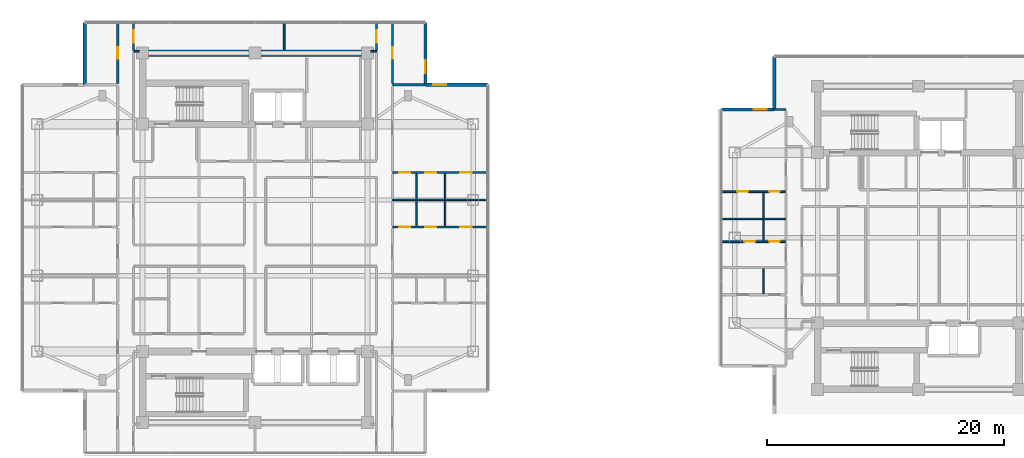
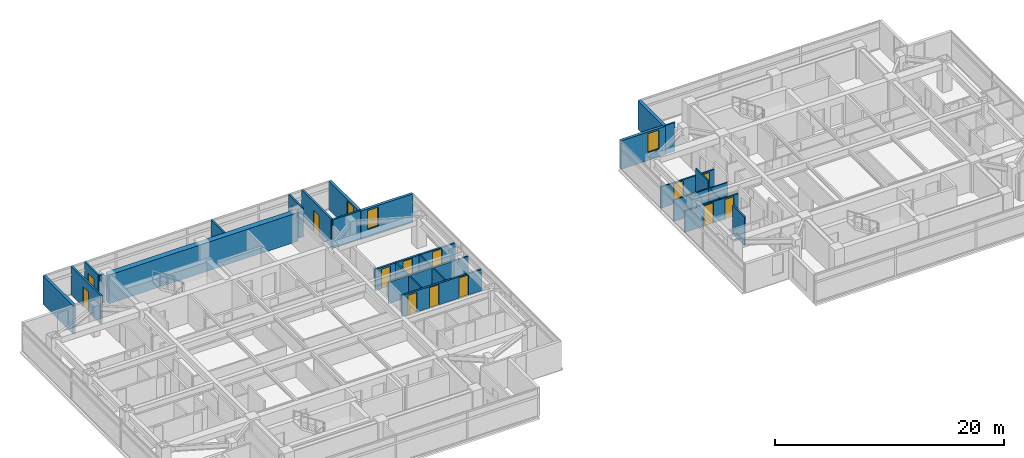
# One storey, part 15 of 24: 28 walls, 14 doors, 3 windows, 17 openings.
"""IFC4 building model written with IfcOpenShell, lengths in metres."""

from ifc_helpers import new_model, si_unit, direction, frame, frame_2d, origin, place, context, subcontext, project, spatial, rectangle, extrude, material, layer, layer_set, type_object, element, fill, save


model = new_model("IFC4")

# Units and contexts
model_context = context("Model", 3, precision=1e-05, world=origin(), true_north=direction((0.0, 1.0)))
body_context = subcontext(model_context, "Body", "Model", "MODEL_VIEW")
ifc_project = project(units=[si_unit("LENGTHUNIT", "METRE"), si_unit("AREAUNIT", "SQUARE_METRE"), si_unit("VOLUMEUNIT", "CUBIC_METRE"), si_unit("PLANEANGLEUNIT", "RADIAN"), si_unit("MASSUNIT", "GRAM", prefix="KILO")], contexts=[model_context])

# Site, building, storey
site_placement = place(None, origin())
site = spatial("IfcSite", under=ifc_project, at=site_placement, CompositionType="ELEMENT")
building_placement = place(site_placement, origin())
building = spatial("IfcBuilding", under=site, at=building_placement, Name="Mirazonda Arch Towers", CompositionType="ELEMENT")
storey_placement = place(building_placement, frame((0.0, 0.0, 154.39990234375)))
storey = spatial("IfcBuildingStorey", under=building, at=storey_placement, Name="L43", CompositionType="ELEMENT", Elevation=154.39990234375)

# Wall
ifc_material_1 = material(Name="Concrete C50/60", Category="concrete")
ifc_layer_1 = layer(ifc_material_1, 0.550048828125, Name="WALL-CORE-550")
ifc_layer_set_1 = layer_set([ifc_layer_1], Name="Concrete C50/60")
wall_type_1 = type_object("IfcWallType", Name="WALL-CORE-550", PredefinedType="SHEAR", material=ifc_layer_set_1)
wall_1_placement = place(storey_placement, frame((11.0, 43.60009765625, 0.0), z_axis=(0.0, 0.0, 1.0), x_axis=(1.0, 0.0, 0.0)))
element("IfcWall", 1, at=wall_1_placement, inside=storey, type_object=wall_type_1, Name="L43 T1N-N Core Shear Wall", PredefinedType="SHEAR", context=body_context, shape_type="SweptSolid", body=[
    extrude(rectangle(XDim=19.0, YDim=0.550048828125, at=frame_2d((9.5, 0.0))), origin(), (0.0, 0.0, 1.0), 3.050048828125),
])

# Wall, opening, window
ifc_material_2 = material(Name="Precast Concrete C40/50", Category="concrete")
ifc_layer_2 = layer(ifc_material_2, 0.280029296875, Name="WALL-EXT-WALL-280")
ifc_layer_set_2 = layer_set([ifc_layer_2], Name="Precast Concrete C40/50")
wall_type_2 = type_object("IfcWallType", Name="WALL-EXT-WALL-280", PredefinedType="SOLIDWALL", material=ifc_layer_set_2)
wall_2_placement = place(storey_placement, frame((34.885009765625, 40.925048828125, 0.0), z_axis=(0.0, 0.0, 1.0), x_axis=(0.0, 1.0, 0.0)))
wall_2 = element("IfcWall", 2, at=wall_2_placement, inside=storey, type_object=wall_type_2, Name="L43 T1 Notched NE Corner Wall WL-L43-T1-CNE", PredefinedType="SOLIDWALL", context=body_context, shape_type="SweptSolid", body=[
    extrude(rectangle(XDim=5.244873046875, YDim=0.280029296875, at=frame_2d((2.62255859375, 0.0))), origin(), (0.0, 0.0, 1.0), 3.030029296875),
])
opening_1_placement = place(wall_2_placement, frame((0.949951171875, 0.0, 0.85009765625)))
opening_1 = element("IfcOpeningElement", 3, at=opening_1_placement, cuts=wall_2, Name="Opening WN-108", PredefinedType="OPENING", context=body_context, shape_type="SweptSolid", body=[
    extrude(rectangle(XDim=1.10009765625, YDim=2.0, at=frame_2d((0.550048828125, 1.0))), frame((0.0, 0.14990234375, 0.0), z_axis=(0.0, -1.0, 0.0), x_axis=(1.0, 0.0, 0.0)), (0.0, 0.0, 1.0), 0.300048828125),
])
ifc_material_3 = material(Name="Insulated Low-E Solar Glass", Category="glass")
window_type = type_object("IfcWindowType", Name="WIN-NOTCH-1100x2000", PartitioningType="SINGLE_PANEL", PredefinedType="WINDOW", material=ifc_material_3)
window_1_placement = place(opening_1_placement, origin())
window_1 = element("IfcWindow", 4, at=window_1_placement, inside=storey, type_object=window_type, Name="L43 Punched Facade Window WN-L43-T1-CNE", OverallHeight=2.0, OverallWidth=1.10009765625, PartitioningType="SINGLE_PANEL", PredefinedType="WINDOW", context=body_context, shape_type="SweptSolid", body=[
    extrude(rectangle(XDim=1.10009765625, YDim=2.0, at=frame_2d((0.550048828125, 1.0))), frame((0.0, 0.030029296875, 0.0), z_axis=(0.0, -1.0, 0.0), x_axis=(1.0, 0.0, 0.0)), (0.0, 0.0, 1.0), 0.06005859375),
])
fill(opening_1, window_1)

# Wall
wall_3_placement = place(storey_placement, frame((6.114990234375, 46.169921875, 0.0), z_axis=(0.0, 0.0, 1.0), x_axis=(0.0, -1.0, 0.0)))
element("IfcWall", 5, at=wall_3_placement, inside=storey, type_object=wall_type_2, Name="L43 T1 Corner Notch Return Wall WL-L43-T1-CNW2", PredefinedType="SOLIDWALL", context=body_context, shape_type="SweptSolid", body=[
    extrude(rectangle(XDim=5.244873046875, YDim=0.280029296875, at=frame_2d((2.62255859375, 0.0))), origin(), (0.0, 0.0, 1.0), 3.030029296875),
])

# Wall, opening, window
wall_4_placement = place(storey_placement, frame((40.1298828125, 40.925048828125, 0.0), z_axis=(0.0, 0.0, 1.0), x_axis=(-1.0, 0.0, 0.0)))
wall_4 = element("IfcWall", 6, at=wall_4_placement, inside=storey, type_object=wall_type_2, Name="L43 T1 Corner Notch Return Wall WL-L43-T1-CNE2", PredefinedType="SOLIDWALL", context=body_context, shape_type="SweptSolid", body=[
    extrude(rectangle(XDim=5.244873046875, YDim=0.280029296875, at=frame_2d((2.62255859375, 0.0))), origin(), (0.0, 0.0, 1.0), 3.030029296875),
])
opening_2_placement = place(wall_4_placement, frame((3.4951171875, 0.0, 0.85009765625)))
opening_2 = element("IfcOpeningElement", 7, at=opening_2_placement, cuts=wall_4, Name="Opening WN-108", PredefinedType="OPENING", context=body_context, shape_type="SweptSolid", body=[
    extrude(rectangle(XDim=1.10009765625, YDim=2.0, at=frame_2d((0.550048828125, 1.0))), frame((0.0, 0.14990234375, 0.0), z_axis=(0.0, -1.0, 0.0), x_axis=(1.0, 0.0, 0.0)), (0.0, 0.0, 1.0), 0.300048828125),
])
window_2_placement = place(opening_2_placement, origin())
window_2 = element("IfcWindow", 8, at=window_2_placement, inside=storey, type_object=window_type, Name="L43 Punched Facade Window WN-L43-T1-CNE2", OverallHeight=2.0, OverallWidth=1.10009765625, PartitioningType="SINGLE_PANEL", PredefinedType="WINDOW", context=body_context, shape_type="SweptSolid", body=[
    extrude(rectangle(XDim=1.10009765625, YDim=2.0, at=frame_2d((0.550048828125, 1.0))), frame((0.0, 0.030029296875, 0.0), z_axis=(0.0, -1.0, 0.0), x_axis=(1.0, 0.0, 0.0)), (0.0, 0.0, 1.0), 0.06005859375),
])
fill(opening_2, window_2)

wall_5_placement = place(storey_placement, frame((64.332763671875, 38.826416015625, 0.0), z_axis=(0.0, 0.0, 1.0), x_axis=(-1.0, 0.0, 0.0)))
wall_5 = element("IfcWall", 9, at=wall_5_placement, inside=storey, type_object=wall_type_2, Name="L43 T2 Corner Notch Return Wall WL-L43-T2-CNW1", PredefinedType="SOLIDWALL", context=body_context, shape_type="SweptSolid", body=[
    extrude(rectangle(XDim=4.46533203125, YDim=0.280029296875, at=frame_2d((2.232666015625, 0.0))), origin(), (0.0, 0.0, 1.0), 3.030029296875),
])
opening_3_placement = place(wall_5_placement, frame((0.64990234375, 0.0, 0.85009765625)))
opening_3 = element("IfcOpeningElement", 10, at=opening_3_placement, cuts=wall_5, Name="Opening WN-108", PredefinedType="OPENING", context=body_context, shape_type="SweptSolid", body=[
    extrude(rectangle(XDim=1.10009765625, YDim=2.0, at=frame_2d((0.550048828125, 1.0))), frame((0.0, 0.14990234375, 0.0), z_axis=(0.0, -1.0, 0.0), x_axis=(1.0, 0.0, 0.0)), (0.0, 0.0, 1.0), 0.300048828125),
])
window_3_placement = place(opening_3_placement, origin())
window_3 = element("IfcWindow", 11, at=window_3_placement, inside=storey, type_object=window_type, Name="L43 Punched Facade Window WN-L43-T2-CNW1", OverallHeight=2.0, OverallWidth=1.10009765625, PartitioningType="SINGLE_PANEL", PredefinedType="WINDOW", context=body_context, shape_type="SweptSolid", body=[
    extrude(rectangle(XDim=1.10009765625, YDim=2.0, at=frame_2d((0.550048828125, 1.0))), frame((0.0, 0.030029296875, 0.0), z_axis=(0.0, -1.0, 0.0), x_axis=(1.0, 0.0, 0.0)), (0.0, 0.0, 1.0), 0.06005859375),
])
fill(opening_3, window_3)

# Wall
wall_6_placement = place(storey_placement, frame((64.332763671875, 43.29150390625, 0.0), z_axis=(0.0, 0.0, 1.0), x_axis=(0.0, -1.0, 0.0)))
element("IfcWall", 12, at=wall_6_placement, inside=storey, type_object=wall_type_2, Name="L43 T2 Corner Notch Return Wall WL-L43-T2-CNW2", PredefinedType="SOLIDWALL", context=body_context, shape_type="SweptSolid", body=[
    extrude(rectangle(XDim=4.465087890625, YDim=0.280029296875, at=frame_2d((2.232421875, 0.0))), origin(), (0.0, 0.0, 1.0), 3.030029296875),
])

# Wall, openings, doors
ifc_material_4 = material(Name="Fire-Rated Gypsum Stud Partition")
ifc_layer_3 = layer(ifc_material_4, 0.14990234375, Name="WALL-PART-CORR-150")
ifc_layer_set_3 = layer_set([ifc_layer_3], Name="Fire-Rated Gypsum Stud Partition")
wall_type_3 = type_object("IfcWallType", Name="WALL-PART-CORR-150", PredefinedType="PARTITIONING", material=ifc_layer_set_3)
wall_7_placement = place(storey_placement, frame((59.866943359375, 27.676025390625, 0.0), z_axis=(0.0, 0.0, 1.0), x_axis=(1.0, 0.0, 0.0)))
wall_7 = element("IfcWall", 13, at=wall_7_placement, inside=storey, type_object=wall_type_3, Name="L43 Interior Partition 035", PredefinedType="PARTITIONING", context=body_context, shape_type="SweptSolid", body=[
    extrude(rectangle(XDim=5.453125, YDim=0.14990234375, at=frame_2d((2.7265625, 0.0))), origin(), (0.0, 0.0, 1.0), 2.26904296875),
])
opening_4_placement = place(wall_7_placement, frame((1.931396484375, 0.0, 0.0)))
opening_4 = element("IfcOpeningElement", 14, at=opening_4_placement, cuts=wall_7, Name="Opening DR-104", PredefinedType="OPENING", context=body_context, shape_type="SweptSolid", body=[
    extrude(rectangle(XDim=0.949951171875, YDim=2.14990234375, at=frame_2d((0.47509765625, 1.074951171875))), frame((0.0, 0.0849609375, 0.0), z_axis=(0.0, -1.0, 0.0), x_axis=(1.0, 0.0, 0.0)), (0.0, 0.0, 1.0), 0.169921875),
])
opening_5_placement = place(wall_7_placement, frame((4.04296875, 0.0, 0.0)))
opening_5 = element("IfcOpeningElement", 15, at=opening_5_placement, cuts=wall_7, Name="Opening DR-120", PredefinedType="OPENING", context=body_context, shape_type="SweptSolid", body=[
    extrude(rectangle(XDim=0.89990234375, YDim=2.10009765625, at=frame_2d((0.449951171875, 1.050048828125))), frame((0.0, 0.0849609375, 0.0), z_axis=(0.0, -1.0, 0.0), x_axis=(1.0, 0.0, 0.0)), (0.0, 0.0, 1.0), 0.169921875),
])
ifc_material_5 = material(Name="Architectural Brushed Steel S355", Category="steel")
door_type_1 = type_object("IfcDoorType", Name="DOOR-ROOM-950", OperationType="NOTDEFINED", PredefinedType="DOOR", material=ifc_material_5)
door_1_placement = place(opening_4_placement, origin())
door_1 = element("IfcDoor", 16, at=door_1_placement, inside=storey, type_object=door_type_1, Name="L43 Studio 2 Galley Kitchen Door", OperationType="SINGLE_SWING_RIGHT", OverallHeight=2.14990234375, OverallWidth=0.949951171875, PredefinedType="DOOR", context=body_context, shape_type="SweptSolid", body=[
    extrude(rectangle(XDim=0.949951171875, YDim=2.14990234375, at=frame_2d((0.47509765625, 1.074951171875))), frame((0.0, 0.02490234375, 0.0), z_axis=(0.0, -1.0, 0.0), x_axis=(1.0, 0.0, 0.0)), (0.0, 0.0, 1.0), 0.050048828125),
])
fill(opening_4, door_1)
door_type_2 = type_object("IfcDoorType", Name="DOOR-WC-900", OperationType="NOTDEFINED", PredefinedType="DOOR", material=ifc_material_5)
door_2_placement = place(opening_5_placement, origin())
door_2 = element("IfcDoor", 17, at=door_2_placement, inside=storey, type_object=door_type_2, Name="L43 Studio 2 Bathroom Door", OperationType="SINGLE_SWING_LEFT", OverallHeight=2.10009765625, OverallWidth=0.89990234375, PredefinedType="DOOR", context=body_context, shape_type="SweptSolid", body=[
    extrude(rectangle(XDim=0.89990234375, YDim=2.10009765625, at=frame_2d((0.449951171875, 1.050048828125))), frame((0.0, 0.02490234375, 0.0), z_axis=(0.0, -1.0, 0.0), x_axis=(1.0, 0.0, 0.0)), (0.0, 0.0, 1.0), 0.050048828125),
])
fill(opening_5, door_2)

wall_8_placement = place(storey_placement, frame((59.866943359375, 31.89599609375, 0.0), z_axis=(0.0, 0.0, 1.0), x_axis=(1.0, 0.0, 0.0)))
wall_8 = element("IfcWall", 18, at=wall_8_placement, inside=storey, type_object=wall_type_3, Name="L43 Interior Partition 044", PredefinedType="PARTITIONING", context=body_context, shape_type="SweptSolid", body=[
    extrude(rectangle(XDim=5.453125, YDim=0.14990234375, at=frame_2d((2.7265625, 0.0))), origin(), (0.0, 0.0, 1.0), 2.26904296875),
])
opening_6_placement = place(wall_8_placement, frame((1.33154296875, 0.0, 0.0)))
opening_6 = element("IfcOpeningElement", 19, at=opening_6_placement, cuts=wall_8, Name="Opening DR-104", PredefinedType="OPENING", context=body_context, shape_type="SweptSolid", body=[
    extrude(rectangle(XDim=0.949951171875, YDim=2.14990234375, at=frame_2d((0.47509765625, 1.074951171875))), frame((0.0, 0.0849609375, 0.0), z_axis=(0.0, -1.0, 0.0), x_axis=(1.0, 0.0, 0.0)), (0.0, 0.0, 1.0), 0.169921875),
])
opening_7_placement = place(wall_8_placement, frame((4.04296875, 0.0, 0.0)))
opening_7 = element("IfcOpeningElement", 20, at=opening_7_placement, cuts=wall_8, Name="Opening DR-120", PredefinedType="OPENING", context=body_context, shape_type="SweptSolid", body=[
    extrude(rectangle(XDim=0.89990234375, YDim=2.10009765625, at=frame_2d((0.449951171875, 1.050048828125))), frame((0.0, 0.0849609375, 0.0), z_axis=(0.0, -1.0, 0.0), x_axis=(1.0, 0.0, 0.0)), (0.0, 0.0, 1.0), 0.169921875),
])
door_3_placement = place(opening_6_placement, origin())
door_3 = element("IfcDoor", 21, at=door_3_placement, inside=storey, type_object=door_type_1, Name="L43 Studio 3 Galley Kitchen Door", OperationType="SINGLE_SWING_LEFT", OverallHeight=2.14990234375, OverallWidth=0.949951171875, PredefinedType="DOOR", context=body_context, shape_type="SweptSolid", body=[
    extrude(rectangle(XDim=0.949951171875, YDim=2.14990234375, at=frame_2d((0.47509765625, 1.074951171875))), frame((0.0, 0.02490234375, 0.0), z_axis=(0.0, -1.0, 0.0), x_axis=(1.0, 0.0, 0.0)), (0.0, 0.0, 1.0), 0.050048828125),
])
fill(opening_6, door_3)
door_4_placement = place(opening_7_placement, origin())
door_4 = element("IfcDoor", 22, at=door_4_placement, inside=storey, type_object=door_type_2, Name="L43 Studio 3 Bathroom Door", OperationType="SINGLE_SWING_RIGHT", OverallHeight=2.10009765625, OverallWidth=0.89990234375, PredefinedType="DOOR", context=body_context, shape_type="SweptSolid", body=[
    extrude(rectangle(XDim=0.89990234375, YDim=2.10009765625, at=frame_2d((0.449951171875, 1.050048828125))), frame((0.0, 0.02490234375, 0.0), z_axis=(0.0, -1.0, 0.0), x_axis=(1.0, 0.0, 0.0)), (0.0, 0.0, 1.0), 0.050048828125),
])
fill(opening_7, door_4)

# Walls
wall_9_placement = place(storey_placement, frame((64.352783203125, 38.825927734375, 0.0), z_axis=(0.0, 0.0, 1.0), x_axis=(1.0, 0.0, 0.0)))
element("IfcWall", 23, at=wall_9_placement, inside=storey, type_object=wall_type_3, Name="L43 Interior Partition 057", PredefinedType="PARTITIONING", context=body_context, shape_type="SweptSolid", body=[
    extrude(rectangle(XDim=0.96728515625, YDim=0.14990234375, at=frame_2d((0.483642578125, 0.0))), origin(), (0.0, 0.0, 1.0), 3.050048828125),
])
for number, where, z_axis, x_axis, name in (
    (24, (10.239990234375, 43.75, 0.0), (0.0, 0.0, 1.0), (1.0, 0.0, 0.0), "L43 Interior Partition 062"),
    (25, (30.27001953125, 43.75, 0.0), (0.0, 0.0, 1.0), (1.0, 0.0, 0.0), "L43 Interior Partition 063"),
):
    element("IfcWall", number, at=place(storey_placement, frame(where, z_axis=z_axis, x_axis=x_axis)), inside=storey, type_object=wall_type_3, Name=name, PredefinedType="PARTITIONING", context=body_context, shape_type="SweptSolid", body=[
        extrude(rectangle(XDim=0.489990234375, YDim=0.14990234375, at=frame_2d((0.2451171875, 0.0))), origin(), (0.0, 0.0, 1.0), 3.050048828125),
    ])

# Wall, opening, door
wall_10_placement = place(storey_placement, frame((10.239990234375, 43.8349609375, 0.0), z_axis=(0.0, 0.0, 1.0), x_axis=(0.0, 1.0, 0.0)))
wall_10 = element("IfcWall", 26, at=wall_10_placement, inside=storey, type_object=wall_type_3, Name="L43 Interior Partition 081", PredefinedType="PARTITIONING", context=body_context, shape_type="SweptSolid", body=[
    extrude(rectangle(XDim=2.3349609375, YDim=0.14990234375, at=frame_2d((1.16748046875, 0.0))), origin(), (0.0, 0.0, 1.0), 3.050048828125),
])
opening_8_placement = place(wall_10_placement, frame((0.642578125, 0.0, 0.0)))
opening_8 = element("IfcOpeningElement", 27, at=opening_8_placement, cuts=wall_10, Name="Opening DR-121", PredefinedType="OPENING", context=body_context, shape_type="SweptSolid", body=[
    extrude(rectangle(XDim=1.050048828125, YDim=2.199951171875, at=frame_2d((0.52490234375, 1.10009765625))), frame((0.0, 0.0849609375, 0.0), z_axis=(0.0, -1.0, 0.0), x_axis=(1.0, 0.0, 0.0)), (0.0, 0.0, 1.0), 0.169921875),
])
door_type_3 = type_object("IfcDoorType", Name="DOOR-SUITE-FD60-1050", OperationType="NOTDEFINED", PredefinedType="DOOR", material=ifc_material_5)
door_5_placement = place(opening_8_placement, origin())
door_5 = element("IfcDoor", 28, at=door_5_placement, inside=storey, type_object=door_type_3, Name="L43 North Bay Sunroom West Door", OperationType="SINGLE_SWING_RIGHT", OverallHeight=2.199951171875, OverallWidth=1.050048828125, PredefinedType="DOOR", context=body_context, shape_type="SweptSolid", body=[
    extrude(rectangle(XDim=1.050048828125, YDim=2.199951171875, at=frame_2d((0.52490234375, 1.10009765625))), frame((0.0, 0.02490234375, 0.0), z_axis=(0.0, -1.0, 0.0), x_axis=(1.0, 0.0, 0.0)), (0.0, 0.0, 1.0), 0.050048828125),
])
fill(opening_8, door_5)

# Wall
wall_11_placement = place(storey_placement, frame((22.9619140625, 43.8701171875, 0.0), z_axis=(0.0, 0.0, 1.0), x_axis=(0.0, 1.0, 0.0)))
element("IfcWall", 29, at=wall_11_placement, inside=storey, type_object=wall_type_3, Name="L43 Interior Partition 096", PredefinedType="PARTITIONING", context=body_context, shape_type="SweptSolid", body=[
    extrude(rectangle(XDim=2.2998046875, YDim=0.14990234375, at=frame_2d((1.14990234375, 0.0))), origin(), (0.0, 0.0, 1.0), 3.050048828125),
])

# Wall, opening, door
wall_12_placement = place(storey_placement, frame((30.760009765625, 43.8349609375, 0.0), z_axis=(0.0, 0.0, 1.0), x_axis=(0.0, 1.0, 0.0)))
wall_12 = element("IfcWall", 30, at=wall_12_placement, inside=storey, type_object=wall_type_3, Name="L43 Interior Partition 110", PredefinedType="PARTITIONING", context=body_context, shape_type="SweptSolid", body=[
    extrude(rectangle(XDim=2.3349609375, YDim=0.14990234375, at=frame_2d((1.16748046875, 0.0))), origin(), (0.0, 0.0, 1.0), 3.050048828125),
])
opening_9_placement = place(wall_12_placement, frame((0.642578125, 0.0, 0.0)))
opening_9 = element("IfcOpeningElement", 31, at=opening_9_placement, cuts=wall_12, Name="Opening DR-121", PredefinedType="OPENING", context=body_context, shape_type="SweptSolid", body=[
    extrude(rectangle(XDim=1.050048828125, YDim=2.199951171875, at=frame_2d((0.52490234375, 1.10009765625))), frame((0.0, 0.0849609375, 0.0), z_axis=(0.0, -1.0, 0.0), x_axis=(1.0, 0.0, 0.0)), (0.0, 0.0, 1.0), 0.169921875),
])
door_6_placement = place(opening_9_placement, origin())
door_6 = element("IfcDoor", 32, at=door_6_placement, inside=storey, type_object=door_type_3, Name="L43 North Bay Sunroom East Door", OperationType="SINGLE_SWING_LEFT", OverallHeight=2.199951171875, OverallWidth=1.050048828125, PredefinedType="DOOR", context=body_context, shape_type="SweptSolid", body=[
    extrude(rectangle(XDim=1.050048828125, YDim=2.199951171875, at=frame_2d((0.52490234375, 1.10009765625))), frame((0.0, 0.02490234375, 0.0), z_axis=(0.0, -1.0, 0.0), x_axis=(1.0, 0.0, 0.0)), (0.0, 0.0, 1.0), 0.050048828125),
])
fill(opening_9, door_6)

# Wall, openings, doors
ifc_material_6 = material(Name="Fire-Rated Gypsum Twin-Stud Assembly")
ifc_layer_4 = layer(ifc_material_6, 0.179931640625, Name="WALL-PART-DEMISE-180")
ifc_layer_set_4 = layer_set([ifc_layer_4], Name="Fire-Rated Gypsum Twin-Stud Assembly")
wall_type_4 = type_object("IfcWallType", Name="WALL-PART-DEMISE-180", PredefinedType="PARTITIONING", material=ifc_layer_set_4)
wall_13_placement = place(storey_placement, frame((32.10009765625, 28.89990234375, 0.0), z_axis=(0.0, 0.0, 1.0), x_axis=(1.0, 0.0, 0.0)))
wall_13 = element("IfcWall", 33, at=wall_13_placement, inside=storey, type_object=wall_type_4, Name="L43 Interior Partition 038", PredefinedType="PARTITIONING", context=body_context, shape_type="SweptSolid", body=[
    extrude(rectangle(XDim=8.02978515625, YDim=0.179931640625, at=frame_2d((4.014892578125, 0.0))), origin(), (0.0, 0.0, 1.0), 2.26904296875),
])
opening_10_placement = place(wall_13_placement, frame((5.738037109375, 0.0, 0.0)))
opening_10 = element("IfcOpeningElement", 34, at=opening_10_placement, cuts=wall_13, Name="Opening DR-104", PredefinedType="OPENING", context=body_context, shape_type="SweptSolid", body=[
    extrude(rectangle(XDim=0.949951171875, YDim=2.14990234375, at=frame_2d((0.47509765625, 1.074951171875))), frame((0.0, 0.099853515625, 0.0), z_axis=(0.0, -1.0, 0.0), x_axis=(1.0, 0.0, 0.0)), (0.0, 0.0, 1.0), 0.199951171875),
])
opening_11_placement = place(wall_13_placement, frame((2.762939453125, 0.0, 0.0)))
opening_11 = element("IfcOpeningElement", 35, at=opening_11_placement, cuts=wall_13, Name="Opening DR-104", PredefinedType="OPENING", context=body_context, shape_type="SweptSolid", body=[
    extrude(rectangle(XDim=0.949951171875, YDim=2.14990234375, at=frame_2d((0.47509765625, 1.074951171875))), frame((0.0, 0.099853515625, 0.0), z_axis=(0.0, -1.0, 0.0), x_axis=(1.0, 0.0, 0.0)), (0.0, 0.0, 1.0), 0.199951171875),
])
opening_12_placement = place(wall_13_placement, frame((0.590087890625, 0.0, 0.0)))
opening_12 = element("IfcOpeningElement", 36, at=opening_12_placement, cuts=wall_13, Name="Opening DR-120", PredefinedType="OPENING", context=body_context, shape_type="SweptSolid", body=[
    extrude(rectangle(XDim=0.89990234375, YDim=2.10009765625, at=frame_2d((0.449951171875, 1.050048828125))), frame((0.0, 0.099853515625, 0.0), z_axis=(0.0, -1.0, 0.0), x_axis=(1.0, 0.0, 0.0)), (0.0, 0.0, 1.0), 0.199951171875),
])
door_7_placement = place(opening_10_placement, origin())
door_7 = element("IfcDoor", 37, at=door_7_placement, inside=storey, type_object=door_type_1, Name="L43 Residence 2 Principal Bedroom Door", OperationType="SINGLE_SWING_LEFT", OverallHeight=2.14990234375, OverallWidth=0.949951171875, PredefinedType="DOOR", context=body_context, shape_type="SweptSolid", body=[
    extrude(rectangle(XDim=0.949951171875, YDim=2.14990234375, at=frame_2d((0.47509765625, 1.074951171875))), frame((0.0, 0.02490234375, 0.0), z_axis=(0.0, -1.0, 0.0), x_axis=(1.0, 0.0, 0.0)), (0.0, 0.0, 1.0), 0.050048828125),
])
fill(opening_10, door_7)
door_8_placement = place(opening_11_placement, origin())
door_8 = element("IfcDoor", 38, at=door_8_placement, inside=storey, type_object=door_type_1, Name="L43 Residence 2 Fitted Kitchen Door", OperationType="SINGLE_SWING_RIGHT", OverallHeight=2.14990234375, OverallWidth=0.949951171875, PredefinedType="DOOR", context=body_context, shape_type="SweptSolid", body=[
    extrude(rectangle(XDim=0.949951171875, YDim=2.14990234375, at=frame_2d((0.47509765625, 1.074951171875))), frame((0.0, 0.02490234375, 0.0), z_axis=(0.0, -1.0, 0.0), x_axis=(1.0, 0.0, 0.0)), (0.0, 0.0, 1.0), 0.050048828125),
])
fill(opening_11, door_8)
door_9_placement = place(opening_12_placement, origin())
door_9 = element("IfcDoor", 39, at=door_9_placement, inside=storey, type_object=door_type_2, Name="L43 Residence 2 Bathroom Door", OperationType="SINGLE_SWING_LEFT", OverallHeight=2.10009765625, OverallWidth=0.89990234375, PredefinedType="DOOR", context=body_context, shape_type="SweptSolid", body=[
    extrude(rectangle(XDim=0.89990234375, YDim=2.10009765625, at=frame_2d((0.449951171875, 1.050048828125))), frame((0.0, 0.02490234375, 0.0), z_axis=(0.0, -1.0, 0.0), x_axis=(1.0, 0.0, 0.0)), (0.0, 0.0, 1.0), 0.050048828125),
])
fill(opening_12, door_9)

wall_14_placement = place(storey_placement, frame((32.10009765625, 33.5, 0.0), z_axis=(0.0, 0.0, 1.0), x_axis=(1.0, 0.0, 0.0)))
wall_14 = element("IfcWall", 40, at=wall_14_placement, inside=storey, type_object=wall_type_4, Name="L43 Interior Partition 050", PredefinedType="PARTITIONING", context=body_context, shape_type="SweptSolid", body=[
    extrude(rectangle(XDim=8.02978515625, YDim=0.179931640625, at=frame_2d((4.014892578125, 0.0))), origin(), (0.0, 0.0, 1.0), 2.26904296875),
])
opening_13_placement = place(wall_14_placement, frame((5.738037109375, 0.0, 0.0)))
opening_13 = element("IfcOpeningElement", 41, at=opening_13_placement, cuts=wall_14, Name="Opening DR-104", PredefinedType="OPENING", context=body_context, shape_type="SweptSolid", body=[
    extrude(rectangle(XDim=0.949951171875, YDim=2.14990234375, at=frame_2d((0.47509765625, 1.074951171875))), frame((0.0, 0.099853515625, 0.0), z_axis=(0.0, -1.0, 0.0), x_axis=(1.0, 0.0, 0.0)), (0.0, 0.0, 1.0), 0.199951171875),
])
opening_14_placement = place(wall_14_placement, frame((2.762939453125, 0.0, 0.0)))
opening_14 = element("IfcOpeningElement", 42, at=opening_14_placement, cuts=wall_14, Name="Opening DR-104", PredefinedType="OPENING", context=body_context, shape_type="SweptSolid", body=[
    extrude(rectangle(XDim=0.949951171875, YDim=2.14990234375, at=frame_2d((0.47509765625, 1.074951171875))), frame((0.0, 0.099853515625, 0.0), z_axis=(0.0, -1.0, 0.0), x_axis=(1.0, 0.0, 0.0)), (0.0, 0.0, 1.0), 0.199951171875),
])
opening_15_placement = place(wall_14_placement, frame((0.590087890625, 0.0, 0.0)))
opening_15 = element("IfcOpeningElement", 43, at=opening_15_placement, cuts=wall_14, Name="Opening DR-120", PredefinedType="OPENING", context=body_context, shape_type="SweptSolid", body=[
    extrude(rectangle(XDim=0.89990234375, YDim=2.10009765625, at=frame_2d((0.449951171875, 1.050048828125))), frame((0.0, 0.099853515625, 0.0), z_axis=(0.0, -1.0, 0.0), x_axis=(1.0, 0.0, 0.0)), (0.0, 0.0, 1.0), 0.199951171875),
])
door_10_placement = place(opening_13_placement, origin())
door_10 = element("IfcDoor", 44, at=door_10_placement, inside=storey, type_object=door_type_1, Name="L43 Residence 3 Principal Bedroom Door", OperationType="SINGLE_SWING_LEFT", OverallHeight=2.14990234375, OverallWidth=0.949951171875, PredefinedType="DOOR", context=body_context, shape_type="SweptSolid", body=[
    extrude(rectangle(XDim=0.949951171875, YDim=2.14990234375, at=frame_2d((0.47509765625, 1.074951171875))), frame((0.0, 0.02490234375, 0.0), z_axis=(0.0, -1.0, 0.0), x_axis=(1.0, 0.0, 0.0)), (0.0, 0.0, 1.0), 0.050048828125),
])
fill(opening_13, door_10)
door_11_placement = place(opening_14_placement, origin())
door_11 = element("IfcDoor", 45, at=door_11_placement, inside=storey, type_object=door_type_1, Name="L43 Residence 3 Fitted Kitchen Door", OperationType="SINGLE_SWING_RIGHT", OverallHeight=2.14990234375, OverallWidth=0.949951171875, PredefinedType="DOOR", context=body_context, shape_type="SweptSolid", body=[
    extrude(rectangle(XDim=0.949951171875, YDim=2.14990234375, at=frame_2d((0.47509765625, 1.074951171875))), frame((0.0, 0.02490234375, 0.0), z_axis=(0.0, -1.0, 0.0), x_axis=(1.0, 0.0, 0.0)), (0.0, 0.0, 1.0), 0.050048828125),
])
fill(opening_14, door_11)
door_12_placement = place(opening_15_placement, origin())
door_12 = element("IfcDoor", 46, at=door_12_placement, inside=storey, type_object=door_type_2, Name="L43 Residence 3 Bathroom Door", OperationType="SINGLE_SWING_LEFT", OverallHeight=2.10009765625, OverallWidth=0.89990234375, PredefinedType="DOOR", context=body_context, shape_type="SweptSolid", body=[
    extrude(rectangle(XDim=0.89990234375, YDim=2.10009765625, at=frame_2d((0.449951171875, 1.050048828125))), frame((0.0, 0.02490234375, 0.0), z_axis=(0.0, -1.0, 0.0), x_axis=(1.0, 0.0, 0.0)), (0.0, 0.0, 1.0), 0.050048828125),
])
fill(opening_15, door_12)

# Wall
wall_15_placement = place(storey_placement, frame((32.10009765625, 40.925048828125, 0.0), z_axis=(0.0, 0.0, 1.0), x_axis=(1.0, 0.0, 0.0)))
element("IfcWall", 47, at=wall_15_placement, inside=storey, type_object=wall_type_4, Name="L43 Interior Partition 061", PredefinedType="PARTITIONING", context=body_context, shape_type="SweptSolid", body=[
    extrude(rectangle(XDim=2.764892578125, YDim=0.179931640625, at=frame_2d((1.38232421875, 0.0))), origin(), (0.0, 0.0, 1.0), 3.050048828125),
])

# Wall, opening, door
wall_16_placement = place(storey_placement, frame((8.89990234375, 41.02490234375, 0.0), z_axis=(0.0, 0.0, 1.0), x_axis=(0.0, 1.0, 0.0)))
wall_16 = element("IfcWall", 48, at=wall_16_placement, inside=storey, type_object=wall_type_4, Name="L43 Interior Partition 074", PredefinedType="PARTITIONING", context=body_context, shape_type="SweptSolid", body=[
    extrude(rectangle(XDim=5.14501953125, YDim=0.179931640625, at=frame_2d((2.572509765625, 0.0))), origin(), (0.0, 0.0, 1.0), 3.050048828125),
])
opening_16_placement = place(wall_16_placement, frame((2.097412109375, 0.0, 0.0)))
opening_16 = element("IfcOpeningElement", 49, at=opening_16_placement, cuts=wall_16, Name="Opening DR-104", PredefinedType="OPENING", context=body_context, shape_type="SweptSolid", body=[
    extrude(rectangle(XDim=0.949951171875, YDim=2.14990234375, at=frame_2d((0.47509765625, 1.074951171875))), frame((0.0, 0.099853515625, 0.0), z_axis=(0.0, -1.0, 0.0), x_axis=(1.0, 0.0, 0.0)), (0.0, 0.0, 1.0), 0.199951171875),
])
door_13_placement = place(opening_16_placement, origin())
door_13 = element("IfcDoor", 50, at=door_13_placement, inside=storey, type_object=door_type_1, Name="L43 North Bay Sunroom Alcove West Door", OperationType="SINGLE_SWING_RIGHT", OverallHeight=2.14990234375, OverallWidth=0.949951171875, PredefinedType="DOOR", context=body_context, shape_type="SweptSolid", body=[
    extrude(rectangle(XDim=0.949951171875, YDim=2.14990234375, at=frame_2d((0.47509765625, 1.074951171875))), frame((0.0, 0.02490234375, 0.0), z_axis=(0.0, -1.0, 0.0), x_axis=(1.0, 0.0, 0.0)), (0.0, 0.0, 1.0), 0.050048828125),
])
fill(opening_16, door_13)

wall_17_placement = place(storey_placement, frame((32.10009765625, 41.02490234375, 0.0), z_axis=(0.0, 0.0, 1.0), x_axis=(0.0, 1.0, 0.0)))
wall_17 = element("IfcWall", 51, at=wall_17_placement, inside=storey, type_object=wall_type_4, Name="L43 Interior Partition 118", PredefinedType="PARTITIONING", context=body_context, shape_type="SweptSolid", body=[
    extrude(rectangle(XDim=5.14501953125, YDim=0.179931640625, at=frame_2d((2.572509765625, 0.0))), origin(), (0.0, 0.0, 1.0), 3.050048828125),
])
opening_17_placement = place(wall_17_placement, frame((2.097412109375, 0.0, 0.0)))
opening_17 = element("IfcOpeningElement", 52, at=opening_17_placement, cuts=wall_17, Name="Opening DR-104", PredefinedType="OPENING", context=body_context, shape_type="SweptSolid", body=[
    extrude(rectangle(XDim=0.949951171875, YDim=2.14990234375, at=frame_2d((0.47509765625, 1.074951171875))), frame((0.0, 0.099853515625, 0.0), z_axis=(0.0, -1.0, 0.0), x_axis=(1.0, 0.0, 0.0)), (0.0, 0.0, 1.0), 0.199951171875),
])
door_14_placement = place(opening_17_placement, origin())
door_14 = element("IfcDoor", 53, at=door_14_placement, inside=storey, type_object=door_type_1, Name="L43 North Bay Sunroom Alcove East Door", OperationType="SINGLE_SWING_LEFT", OverallHeight=2.14990234375, OverallWidth=0.949951171875, PredefinedType="DOOR", context=body_context, shape_type="SweptSolid", body=[
    extrude(rectangle(XDim=0.949951171875, YDim=2.14990234375, at=frame_2d((0.47509765625, 1.074951171875))), frame((0.0, 0.02490234375, 0.0), z_axis=(0.0, -1.0, 0.0), x_axis=(1.0, 0.0, 0.0)), (0.0, 0.0, 1.0), 0.050048828125),
])
fill(opening_17, door_14)

# Walls
ifc_material_7 = material(Name="Acoustic Fire-Rated Gypsum Partition")
ifc_layer_5 = layer(ifc_material_7, 0.125, Name="WALL-PART-UNIT-125")
ifc_layer_set_5 = layer_set([ifc_layer_5], Name="Acoustic Fire-Rated Gypsum Partition")
wall_type_5 = type_object("IfcWallType", Name="WALL-PART-UNIT-125", PredefinedType="PARTITIONING", material=ifc_layer_set_5)
wall_18_placement = place(storey_placement, frame((59.866943359375, 29.595947265625, 0.0), z_axis=(0.0, 0.0, 1.0), x_axis=(1.0, 0.0, 0.0)))
element("IfcWall", 54, at=wall_18_placement, inside=storey, type_object=wall_type_5, Name="L43 Interior Partition 039", PredefinedType="PARTITIONING", context=body_context, shape_type="SweptSolid", body=[
    extrude(rectangle(XDim=5.453125, YDim=0.125, at=frame_2d((2.7265625, 0.0))), origin(), (0.0, 0.0, 1.0), 2.26904296875),
])
wall_19_placement = place(storey_placement, frame((32.10009765625, 31.199951171875, 0.0), z_axis=(0.0, 0.0, 1.0), x_axis=(1.0, 0.0, 0.0)))
element("IfcWall", 55, at=wall_19_placement, inside=storey, type_object=wall_type_5, Name="L43 Interior Partition 043", PredefinedType="PARTITIONING", context=body_context, shape_type="SweptSolid", body=[
    extrude(rectangle(XDim=8.02978515625, YDim=0.125, at=frame_2d((4.014892578125, 0.0))), origin(), (0.0, 0.0, 1.0), 2.26904296875),
])
for number, where, z_axis, x_axis, name in (
    (56, (34.139892578125, 29.0, 0.0), (0.0, 0.0, 1.0), (0.0, 1.0, 0.0), "L43 Interior Partition 120"),
    (57, (34.139892578125, 31.2724609375, 0.0), (0.0, 0.0, 1.0), (0.0, 1.0, 0.0), "L43 Interior Partition 121"),
    (58, (36.535888671875, 29.0, 0.0), (0.0, 0.0, 1.0), (0.0, 1.0, 0.0), "L43 Interior Partition 123"),
    (59, (36.535888671875, 31.2724609375, 0.0), (0.0, 0.0, 1.0), (0.0, 1.0, 0.0), "L43 Interior Partition 124"),
):
    element("IfcWall", number, at=place(storey_placement, frame(where, z_axis=z_axis, x_axis=x_axis)), inside=storey, type_object=wall_type_5, Name=name, PredefinedType="PARTITIONING", context=body_context, shape_type="SweptSolid", body=[
        extrude(rectangle(XDim=2.12744140625, YDim=0.125, at=frame_2d((1.063720703125, 0.0))), origin(), (0.0, 0.0, 1.0), 2.34619140625),
    ])
wall_20_placement = place(storey_placement, frame((63.43994140625, 23.2919921875, 0.0), z_axis=(0.0, 0.0, 1.0), x_axis=(0.0, 1.0, 0.0)))
element("IfcWall", 60, at=wall_20_placement, inside=storey, type_object=wall_type_5, Name="L43 Interior Partition 125", PredefinedType="PARTITIONING", context=body_context, shape_type="SweptSolid", body=[
    extrude(rectangle(XDim=2.114990234375, YDim=0.125, at=frame_2d((1.0576171875, 0.0))), origin(), (0.0, 0.0, 1.0), 3.050048828125),
])
wall_21_placement = place(storey_placement, frame((63.43994140625, 27.760986328125, 0.0), z_axis=(0.0, 0.0, 1.0), x_axis=(0.0, 1.0, 0.0)))
element("IfcWall", 61, at=wall_21_placement, inside=storey, type_object=wall_type_5, Name="L43 Interior Partition 126", PredefinedType="PARTITIONING", context=body_context, shape_type="SweptSolid", body=[
    extrude(rectangle(XDim=1.762451171875, YDim=0.125, at=frame_2d((0.88134765625, 0.0))), origin(), (0.0, 0.0, 1.0), 2.34619140625),
])
wall_22_placement = place(storey_placement, frame((63.43994140625, 29.66845703125, 0.0), z_axis=(0.0, 0.0, 1.0), x_axis=(0.0, 1.0, 0.0)))
element("IfcWall", 62, at=wall_22_placement, inside=storey, type_object=wall_type_5, Name="L43 Interior Partition 127", PredefinedType="PARTITIONING", context=body_context, shape_type="SweptSolid", body=[
    extrude(rectangle(XDim=2.142578125, YDim=0.125, at=frame_2d((1.0712890625, 0.0))), origin(), (0.0, 0.0, 1.0), 3.050048828125),
])

save(model, "model.ifc")
